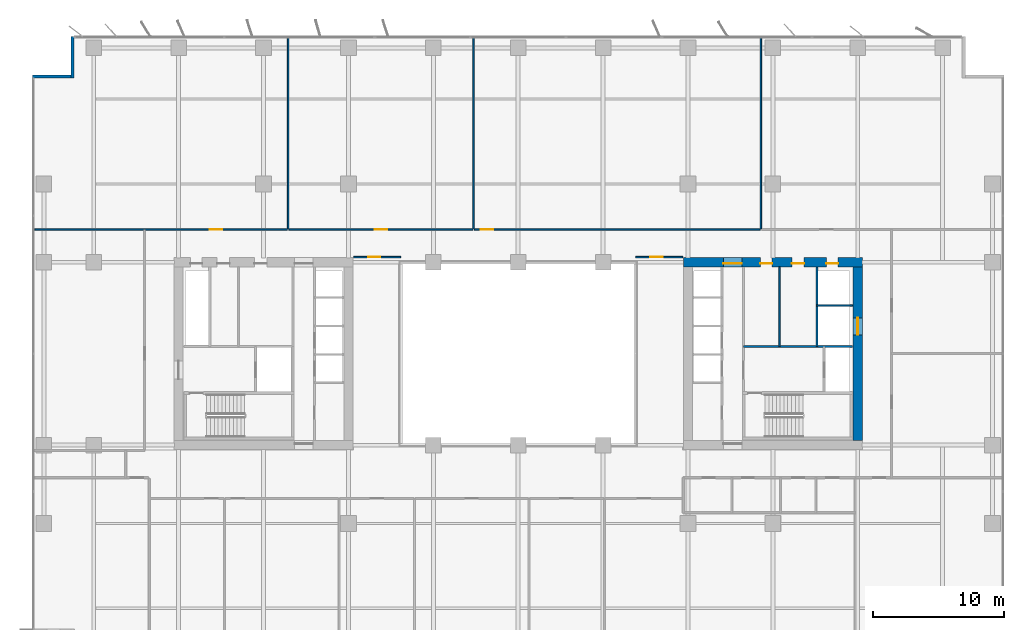
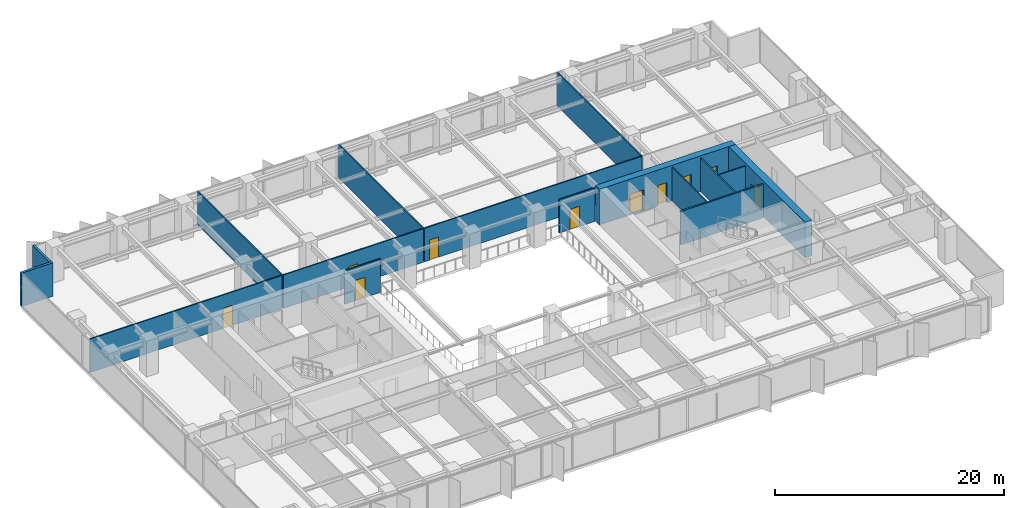
# One storey, part 15 of 20: 16 walls, 10 doors, 10 openings.
"""IFC4 building model written with IfcOpenShell, lengths in metres."""

from ifc_helpers import new_model, si_unit, direction, frame, frame_2d, origin, place, context, subcontext, project, spatial, rectangle, extrude, material, layer, layer_set, type_object, element, fill, save


model = new_model("IFC4")

# Units and contexts
model_context = context("Model", 3, precision=1e-05, world=origin(), true_north=direction((0.0, 1.0)))
body_context = subcontext(model_context, "Body", "Model", "MODEL_VIEW")
ifc_project = project(units=[si_unit("LENGTHUNIT", "METRE"), si_unit("AREAUNIT", "SQUARE_METRE"), si_unit("VOLUMEUNIT", "CUBIC_METRE"), si_unit("PLANEANGLEUNIT", "RADIAN"), si_unit("MASSUNIT", "GRAM", prefix="KILO")], contexts=[model_context])

# Site, building, storey
site_placement = place(None, origin())
site = spatial("IfcSite", under=ifc_project, at=site_placement, CompositionType="ELEMENT")
building_placement = place(site_placement, origin())
building = spatial("IfcBuilding", under=site, at=building_placement, Name="Putna Gate Headquarters", CompositionType="ELEMENT")
storey_placement = place(building_placement, frame((0.0, 0.0, 97.39990234375)))
storey = spatial("IfcBuildingStorey", under=building, at=storey_placement, Name="L23", CompositionType="ELEMENT", Elevation=97.39990234375)

# Wall, openings, doors
ifc_material_1 = material(Name="Concrete C60/75", Category="concrete")
ifc_layer_1 = layer(ifc_material_1, 0.699951171875)
ifc_layer_set_1 = layer_set([ifc_layer_1], Name="Concrete C60/75")
wall_type_1 = type_object("IfcWallType", Name="WALL-CORE-700", PredefinedType="SHEAR", material=ifc_layer_set_1)
wall_1_placement = place(storey_placement, frame((51.64990234375, 33.0, 0.0), z_axis=(0.0, 0.0, 1.0), x_axis=(1.0, 0.0, 0.0)))
wall_1 = element("IfcWall", 1, at=wall_1_placement, inside=storey, type_object=wall_type_1, Name="L23 EC Split Core Shear Wall N", PredefinedType="SHEAR", context=body_context, shape_type="SweptSolid", body=[
    extrude(rectangle(XDim=13.7001953125, YDim=0.699951171875, at=frame_2d((6.85009765625, 0.0))), origin(), (0.0, 0.0, 1.0), 3.800048828125),
])
opening_1_placement = place(wall_1_placement, frame((3.070068359375, 0.0, 0.0)))
opening_1 = element("IfcOpeningElement", 2, at=opening_1_placement, cuts=wall_1, Name="Opening FDD-140", PredefinedType="OPENING", context=body_context, shape_type="SweptSolid", body=[
    extrude(rectangle(XDim=1.39990234375, YDim=2.199951171875, at=frame_2d((0.699951171875, 1.10009765625))), frame((0.0, 0.35986328125, 0.0), z_axis=(0.0, -1.0, 0.0), x_axis=(1.0, 0.0, 0.0)), (0.0, 0.0, 1.0), 0.719970703125),
])
opening_2_placement = place(wall_1_placement, frame((10.949951171875, 0.0, 0.0)))
opening_2 = element("IfcOpeningElement", 3, at=opening_2_placement, cuts=wall_1, Name="Opening RD-90", PredefinedType="OPENING", context=body_context, shape_type="SweptSolid", body=[
    extrude(rectangle(XDim=0.89990234375, YDim=2.14990234375, at=frame_2d((0.449951171875, 1.074951171875))), frame((0.0, 0.35986328125, 0.0), z_axis=(0.0, -1.0, 0.0), x_axis=(1.0, 0.0, 0.0)), (0.0, 0.0, 1.0), 0.719970703125),
])
opening_3_placement = place(wall_1_placement, frame((5.89990234375, 0.0, 0.0)))
opening_3 = element("IfcOpeningElement", 4, at=opening_3_placement, cuts=wall_1, Name="Opening IDS-90", PredefinedType="OPENING", context=body_context, shape_type="SweptSolid", body=[
    extrude(rectangle(XDim=0.89990234375, YDim=2.14990234375, at=frame_2d((0.449951171875, 1.074951171875))), frame((0.0, 0.35986328125, 0.0), z_axis=(0.0, -1.0, 0.0), x_axis=(1.0, 0.0, 0.0)), (0.0, 0.0, 1.0), 0.719970703125),
])
opening_4_placement = place(wall_1_placement, frame((8.300048828125, 0.0, 0.0)))
opening_4 = element("IfcOpeningElement", 5, at=opening_4_placement, cuts=wall_1, Name="Opening IDS-95", PredefinedType="OPENING", context=body_context, shape_type="SweptSolid", body=[
    extrude(rectangle(XDim=0.949951171875, YDim=2.14990234375, at=frame_2d((0.47509765625, 1.074951171875))), frame((0.0, 0.35986328125, 0.0), z_axis=(0.0, -1.0, 0.0), x_axis=(1.0, 0.0, 0.0)), (0.0, 0.0, 1.0), 0.719970703125),
])
ifc_material_2 = material(Name="Double steel fire door", Category="steel")
door_type_1 = type_object("IfcDoorType", Name="DOOR-FIRE-DBL-1400", OperationType="DOUBLE_DOOR_SINGLE_SWING", PredefinedType="DOOR", material=ifc_material_2)
door_1_placement = place(opening_1_placement, origin())
door_1 = element("IfcDoor", 6, at=door_1_placement, inside=storey, type_object=door_type_1, Name="L23 East Lift Lobby North Door", OperationType="DOUBLE_DOOR_SINGLE_SWING", OverallHeight=2.199951171875, OverallWidth=1.39990234375, PredefinedType="DOOR", context=body_context, shape_type="SweptSolid", body=[
    extrude(rectangle(XDim=1.39990234375, YDim=2.199951171875, at=frame_2d((0.699951171875, 1.10009765625))), frame((0.0, -0.0751953125, 0.0), z_axis=(0.0, -1.0, 0.0), x_axis=(1.0, 0.0, 0.0)), (0.0, 0.0, 1.0), 0.050048828125),
])
fill(opening_1, door_1)
ifc_material_3 = material(Name="Fire-rated utility door")
door_type_2 = type_object("IfcDoorType", Name="DOOR-INT-900", OperationType="NOTDEFINED", PredefinedType="DOOR", material=ifc_material_3)
door_2_placement = place(opening_3_placement, origin())
door_2 = element("IfcDoor", 7, at=door_2_placement, inside=storey, type_object=door_type_2, Name="L23 Telecoms Plant Door", OperationType="SINGLE_SWING_LEFT", OverallHeight=2.14990234375, OverallWidth=0.89990234375, PredefinedType="DOOR", context=body_context, shape_type="SweptSolid", body=[
    extrude(rectangle(XDim=0.89990234375, YDim=2.14990234375, at=frame_2d((0.449951171875, 1.074951171875))), frame((0.0, -0.0751953125, 0.0), z_axis=(0.0, -1.0, 0.0), x_axis=(1.0, 0.0, 0.0)), (0.0, 0.0, 1.0), 0.050048828125),
])
fill(opening_3, door_2)
ifc_material_4 = material(Name="Fire-rated service timber door", Category="wood")
door_type_3 = type_object("IfcDoorType", Name="DOOR-INT-950", OperationType="NOTDEFINED", PredefinedType="DOOR", material=ifc_material_4)
door_3_placement = place(opening_4_placement, origin())
door_3 = element("IfcDoor", 8, at=door_3_placement, inside=storey, type_object=door_type_3, Name="L23 Supplies Store Door", OperationType="SINGLE_SWING_RIGHT", OverallHeight=2.14990234375, OverallWidth=0.949951171875, PredefinedType="DOOR", context=body_context, shape_type="SweptSolid", body=[
    extrude(rectangle(XDim=0.949951171875, YDim=2.14990234375, at=frame_2d((0.47509765625, 1.074951171875))), frame((0.0, -0.0751953125, 0.0), z_axis=(0.0, -1.0, 0.0), x_axis=(1.0, 0.0, 0.0)), (0.0, 0.0, 1.0), 0.050048828125),
])
fill(opening_4, door_3)
ifc_material_5 = material(Name="Steel riser access fire door", Category="steel")
door_type_4 = type_object("IfcDoorType", Name="DOOR-RISER-900", OperationType="NOTDEFINED", PredefinedType="DOOR", material=ifc_material_5)
door_4_placement = place(opening_2_placement, origin())
door_4 = element("IfcDoor", 9, at=door_4_placement, inside=storey, type_object=door_type_4, Name="L23 East Riser Access Door", OperationType="SINGLE_SWING_LEFT", OverallHeight=2.14990234375, OverallWidth=0.89990234375, PredefinedType="DOOR", context=body_context, shape_type="SweptSolid", body=[
    extrude(rectangle(XDim=0.89990234375, YDim=2.14990234375, at=frame_2d((0.449951171875, 1.074951171875))), frame((0.0, -0.0751953125, 0.0), z_axis=(0.0, -1.0, 0.0), x_axis=(1.0, 0.0, 0.0)), (0.0, 0.0, 1.0), 0.050048828125),
])
fill(opening_2, door_4)

# Wall, opening, door
wall_2_placement = place(storey_placement, frame((65.0, 19.35009765625, 0.0), z_axis=(0.0, 0.0, 1.0), x_axis=(0.0, 1.0, 0.0)))
wall_2 = element("IfcWall", 10, at=wall_2_placement, inside=storey, type_object=wall_type_1, Name="L23 EC Split Core Shear Wall E", PredefinedType="SHEAR", context=body_context, shape_type="SweptSolid", body=[
    extrude(rectangle(XDim=13.2998046875, YDim=0.699951171875, at=frame_2d((6.64990234375, 0.0))), origin(), (0.0, 0.0, 1.0), 3.800048828125),
])
opening_5_placement = place(wall_2_placement, frame((8.10009765625, 0.0, 0.0)))
opening_5 = element("IfcOpeningElement", 11, at=opening_5_placement, cuts=wall_2, Name="Opening LD-2", PredefinedType="OPENING", context=body_context, shape_type="SweptSolid", body=[
    extrude(rectangle(XDim=1.300048828125, YDim=2.199951171875, at=frame_2d((0.64990234375, 1.10009765625))), frame((0.0, 0.35986328125, 0.0), z_axis=(0.0, -1.0, 0.0), x_axis=(1.0, 0.0, 0.0)), (0.0, 0.0, 1.0), 0.719970703125),
])
ifc_material_6 = material(Name="Heavy-duty goods lift sliding landing door")
door_type_5 = type_object("IfcDoorType", Name="DOOR-LIFT-1300", OperationType="DOUBLE_DOOR_SLIDING", PredefinedType="DOOR", material=ifc_material_6)
door_5_placement = place(opening_5_placement, origin())
door_5 = element("IfcDoor", 12, at=door_5_placement, inside=storey, type_object=door_type_5, Name="L23 Goods Lift Landing Door LD-15", OperationType="DOUBLE_DOOR_SLIDING", OverallHeight=2.199951171875, OverallWidth=1.300048828125, PredefinedType="DOOR", context=body_context, shape_type="SweptSolid", body=[
    extrude(rectangle(XDim=1.300048828125, YDim=2.199951171875, at=frame_2d((0.64990234375, 1.10009765625))), frame((0.0, 0.02490234375, 0.0), z_axis=(0.0, -1.0, 0.0), x_axis=(1.0, 0.0, 0.0)), (0.0, 0.0, 1.0), 0.050048828125),
])
fill(opening_5, door_5)

# Walls
ifc_material_7 = material(Name="Precast concrete C40/50", Category="concrete")
ifc_layer_2 = layer(ifc_material_7, 0.239990234375)
ifc_layer_set_2 = layer_set([ifc_layer_2], Name="Precast concrete C40/50")
wall_type_2 = type_object("IfcWallType", Name="WALL-EXT-TERR-240", PredefinedType="STANDARD", material=ifc_layer_set_2)
for number, where, z_axis, x_axis, name in (
    (13, (4.8798828125, 47.10009765625, 0.0), (0.0, 0.0, 1.0), (0.0, 1.0, 0.0), "L23 Corner Notch Return Wall NW-V"),
    (14, (1.800048828125, 47.219970703125, 0.0), (0.0, 0.0, 1.0), (1.0, 0.0, 0.0), "L23 Corner Notch Return Wall NW-H"),
):
    element("IfcWall", number, at=place(storey_placement, frame(where, z_axis=z_axis, x_axis=x_axis)), inside=storey, type_object=wall_type_2, Name=name, PredefinedType="STANDARD", context=body_context, shape_type="SweptSolid", body=[
        extrude(rectangle(XDim=3.199951171875, YDim=0.239990234375, at=frame_2d((1.60009765625, 0.0))), origin(), (0.0, 0.0, 1.0), 3.565185546875),
    ])

# Wall, opening, door
ifc_material_8 = material(Name="Acoustic gypsum board on metal stud")
ifc_layer_3 = layer(ifc_material_8, 0.1201171875)
ifc_layer_set_3 = layer_set([ifc_layer_3], Name="Acoustic gypsum board on metal stud")
wall_type_3 = type_object("IfcWallType", Name="WALL-PART-120", PredefinedType="PARTITIONING", material=ifc_layer_set_3)
wall_3_placement = place(storey_placement, frame((26.39990234375, 33.39990234375, 0.0), z_axis=(0.0, 0.0, 1.0), x_axis=(1.0, 0.0, 0.0)))
wall_3 = element("IfcWall", 15, at=wall_3_placement, inside=storey, type_object=wall_type_3, Name="L23 Interior Wall PART-L23-ATR-W-N", PredefinedType="PARTITIONING", context=body_context, shape_type="SweptSolid", body=[
    extrude(rectangle(XDim=3.60009765625, YDim=0.1201171875, at=frame_2d((1.800048828125, 0.0))), origin(), (0.0, 0.0, 1.0), 3.565185546875),
])
opening_6_placement = place(wall_3_placement, frame((1.10009765625, 0.0, 0.0)))
opening_6 = element("IfcOpeningElement", 16, at=opening_6_placement, cuts=wall_3, Name="Opening ID-95", PredefinedType="OPENING", context=body_context, shape_type="SweptSolid", body=[
    extrude(rectangle(XDim=0.949951171875, YDim=2.14990234375, at=frame_2d((0.47509765625, 1.074951171875))), frame((0.0, 0.070068359375, 0.0), z_axis=(0.0, -1.0, 0.0), x_axis=(1.0, 0.0, 0.0)), (0.0, 0.0, 1.0), 0.14013671875),
])
ifc_material_9 = material(Name="Veneered acoustic timber door", Category="wood")
door_type_6 = type_object("IfcDoorType", Name="DOOR-OFF-950", OperationType="NOTDEFINED", PredefinedType="DOOR", material=ifc_material_9)
door_6_placement = place(opening_6_placement, origin())
door_6 = element("IfcDoor", 17, at=door_6_placement, inside=storey, type_object=door_type_6, Name="L23 West Atrium Lounge Door", OperationType="SINGLE_SWING_LEFT", OverallHeight=2.14990234375, OverallWidth=0.949951171875, PredefinedType="DOOR", context=body_context, shape_type="SweptSolid", body=[
    extrude(rectangle(XDim=0.949951171875, YDim=2.14990234375, at=frame_2d((0.47509765625, 1.074951171875))), frame((0.0, 0.02490234375, 0.0), z_axis=(0.0, -1.0, 0.0), x_axis=(1.0, 0.0, 0.0)), (0.0, 0.0, 1.0), 0.050048828125),
])
fill(opening_6, door_6)

wall_4_placement = place(storey_placement, frame((48.0, 33.39990234375, 0.0), z_axis=(0.0, 0.0, 1.0), x_axis=(1.0, 0.0, 0.0)))
wall_4 = element("IfcWall", 18, at=wall_4_placement, inside=storey, type_object=wall_type_3, Name="L23 Interior Wall PART-L23-ATR-E-N", PredefinedType="PARTITIONING", context=body_context, shape_type="SweptSolid", body=[
    extrude(rectangle(XDim=3.60009765625, YDim=0.1201171875, at=frame_2d((1.800048828125, 0.0))), origin(), (0.0, 0.0, 1.0), 3.565185546875),
])
opening_7_placement = place(wall_4_placement, frame((1.10009765625, 0.0, 0.0)))
opening_7 = element("IfcOpeningElement", 19, at=opening_7_placement, cuts=wall_4, Name="Opening ID-95", PredefinedType="OPENING", context=body_context, shape_type="SweptSolid", body=[
    extrude(rectangle(XDim=0.949951171875, YDim=2.14990234375, at=frame_2d((0.47509765625, 1.074951171875))), frame((0.0, 0.070068359375, 0.0), z_axis=(0.0, -1.0, 0.0), x_axis=(1.0, 0.0, 0.0)), (0.0, 0.0, 1.0), 0.14013671875),
])
door_7_placement = place(opening_7_placement, origin())
door_7 = element("IfcDoor", 20, at=door_7_placement, inside=storey, type_object=door_type_6, Name="L23 East Atrium Lounge Door", OperationType="SINGLE_SWING_RIGHT", OverallHeight=2.14990234375, OverallWidth=0.949951171875, PredefinedType="DOOR", context=body_context, shape_type="SweptSolid", body=[
    extrude(rectangle(XDim=0.949951171875, YDim=2.14990234375, at=frame_2d((0.47509765625, 1.074951171875))), frame((0.0, 0.02490234375, 0.0), z_axis=(0.0, -1.0, 0.0), x_axis=(1.0, 0.0, 0.0)), (0.0, 0.0, 1.0), 0.050048828125),
])
fill(opening_7, door_7)

# Walls
for number, where, z_axis, x_axis, name in (
    (21, (21.37841796875, 35.56005859375, 0.0), (0.0, 0.0, 1.0), (0.0, 1.0, 0.0), "L23 Interior Wall PART-L23-NB-DIV-01"),
    (22, (35.5869140625, 35.56005859375, 0.0), (0.0, 0.0, 1.0), (0.0, 1.0, 0.0), "L23 Interior Wall PART-L23-NB-DIV-02"),
    (23, (57.57666015625, 35.56005859375, 0.0), (0.0, 0.0, 1.0), (0.0, 1.0, 0.0), "L23 Interior Wall PART-L23-NB-DIV-03"),
):
    element("IfcWall", number, at=place(storey_placement, frame(where, z_axis=z_axis, x_axis=x_axis)), inside=storey, type_object=wall_type_3, Name=name, PredefinedType="PARTITIONING", context=body_context, shape_type="SweptSolid", body=[
        extrude(rectangle(XDim=14.719970703125, YDim=0.1201171875, at=frame_2d((7.35986328125, 0.0))), origin(), (0.0, 0.0, 1.0), 3.565185546875),
    ])
ifc_material_10 = material(Name="Fire-rated shaftwall gypsum board on metal stud")
ifc_layer_4 = layer(ifc_material_10, 0.1201171875)
ifc_layer_set_4 = layer_set([ifc_layer_4], Name="Fire-rated shaftwall gypsum board on metal stud")
wall_type_4 = type_object("IfcWallType", Name="WALL-PART-120-EI120", PredefinedType="PARTITIONING", material=ifc_layer_set_4)
wall_5_placement = place(storey_placement, frame((61.8701171875, 29.699951171875, 0.0), z_axis=(0.0, 0.0, 1.0), x_axis=(1.0, 0.0, 0.0)))
element("IfcWall", 24, at=wall_5_placement, inside=storey, type_object=wall_type_4, Name="L23 Interior Wall CWINT-L23-EC-LF15-N", PredefinedType="PARTITIONING", context=body_context, shape_type="SweptSolid", body=[
    extrude(rectangle(XDim=2.72998046875, YDim=0.1201171875, at=frame_2d((1.364990234375, 0.0))), origin(), (0.0, 0.0, 1.0), 3.565185546875),
])
ifc_material_11 = material(Name="Fire-rated gypsum board on metal stud")
ifc_layer_5 = layer(ifc_material_11, 0.1201171875)
ifc_layer_set_5 = layer_set([ifc_layer_5], Name="Fire-rated gypsum board on metal stud")
wall_type_5 = type_object("IfcWallType", Name="WALL-PART-120-RATED", PredefinedType="PARTITIONING", material=ifc_layer_set_5)
wall_6_placement = place(storey_placement, frame((59.02001953125, 26.56005859375, 0.0), z_axis=(0.0, 0.0, 1.0), x_axis=(0.0, 1.0, 0.0)))
element("IfcWall", 25, at=wall_6_placement, inside=storey, type_object=wall_type_5, Name="L23 Interior Wall CWINT-L23-EC-K1-DIV", PredefinedType="PARTITIONING", context=body_context, shape_type="SweptSolid", body=[
    extrude(rectangle(XDim=6.08984375, YDim=0.1201171875, at=frame_2d((3.044921875, 0.0))), origin(), (0.0, 0.0, 1.0), 3.565185546875),
])

# Wall, opening, door
wall_7_placement = place(storey_placement, frame((1.97998046875, 35.5, 0.0), z_axis=(0.0, 0.0, 1.0), x_axis=(1.0, 0.0, 0.0)))
wall_7 = element("IfcWall", 26, at=wall_7_placement, inside=storey, type_object=wall_type_5, Name="L23 Interior Wall PART-L23-NB-CW-01", PredefinedType="PARTITIONING", context=body_context, shape_type="SweptSolid", body=[
    extrude(rectangle(XDim=19.338623046875, YDim=0.1201171875, at=frame_2d((9.66943359375, 0.0))), origin(), (0.0, 0.0, 1.0), 3.565185546875),
])
opening_8_placement = place(wall_7_placement, frame((13.404296875, 0.0, 0.0)))
opening_8 = element("IfcOpeningElement", 27, at=opening_8_placement, cuts=wall_7, Name="Opening FD-95", PredefinedType="OPENING", context=body_context, shape_type="SweptSolid", body=[
    extrude(rectangle(XDim=0.949951171875, YDim=2.14990234375, at=frame_2d((0.47509765625, 1.074951171875))), frame((0.0, 0.070068359375, 0.0), z_axis=(0.0, -1.0, 0.0), x_axis=(1.0, 0.0, 0.0)), (0.0, 0.0, 1.0), 0.14013671875),
])
ifc_material_12 = material(Name="Acoustic timber fire door", Category="wood")
door_type_7 = type_object("IfcDoorType", Name="DOOR-FIRE-950", OperationType="NOTDEFINED", PredefinedType="DOOR", material=ifc_material_12)
door_8_placement = place(opening_8_placement, origin())
door_8 = element("IfcDoor", 28, at=door_8_placement, inside=storey, type_object=door_type_7, Name="L23 Collaborative Breakout Lounge 3 Door", OperationType="SINGLE_SWING_LEFT", OverallHeight=2.14990234375, OverallWidth=0.949951171875, PredefinedType="DOOR", context=body_context, shape_type="SweptSolid", body=[
    extrude(rectangle(XDim=0.949951171875, YDim=2.14990234375, at=frame_2d((0.47509765625, 1.074951171875))), frame((0.0, 0.02490234375, 0.0), z_axis=(0.0, -1.0, 0.0), x_axis=(1.0, 0.0, 0.0)), (0.0, 0.0, 1.0), 0.050048828125),
])
fill(opening_8, door_8)

wall_8_placement = place(storey_placement, frame((21.4384765625, 35.5, 0.0), z_axis=(0.0, 0.0, 1.0), x_axis=(1.0, 0.0, 0.0)))
wall_8 = element("IfcWall", 29, at=wall_8_placement, inside=storey, type_object=wall_type_5, Name="L23 Interior Wall PART-L23-NB-CW-02", PredefinedType="PARTITIONING", context=body_context, shape_type="SweptSolid", body=[
    extrude(rectangle(XDim=14.08837890625, YDim=0.1201171875, at=frame_2d((7.044189453125, 0.0))), origin(), (0.0, 0.0, 1.0), 3.565185546875),
])
opening_9_placement = place(wall_8_placement, frame((6.569091796875, 0.0, 0.0)))
opening_9 = element("IfcOpeningElement", 30, at=opening_9_placement, cuts=wall_8, Name="Opening FD-95", PredefinedType="OPENING", context=body_context, shape_type="SweptSolid", body=[
    extrude(rectangle(XDim=0.949951171875, YDim=2.14990234375, at=frame_2d((0.47509765625, 1.074951171875))), frame((0.0, 0.070068359375, 0.0), z_axis=(0.0, -1.0, 0.0), x_axis=(1.0, 0.0, 0.0)), (0.0, 0.0, 1.0), 0.14013671875),
])
door_9_placement = place(opening_9_placement, origin())
door_9 = element("IfcDoor", 31, at=door_9_placement, inside=storey, type_object=door_type_7, Name="L23 Cellular Office 1 Door", OperationType="SINGLE_SWING_RIGHT", OverallHeight=2.14990234375, OverallWidth=0.949951171875, PredefinedType="DOOR", context=body_context, shape_type="SweptSolid", body=[
    extrude(rectangle(XDim=0.949951171875, YDim=2.14990234375, at=frame_2d((0.47509765625, 1.074951171875))), frame((0.0, 0.02490234375, 0.0), z_axis=(0.0, -1.0, 0.0), x_axis=(1.0, 0.0, 0.0)), (0.0, 0.0, 1.0), 0.050048828125),
])
fill(opening_9, door_9)

wall_9_placement = place(storey_placement, frame((35.646728515625, 35.5, 0.0), z_axis=(0.0, 0.0, 1.0), x_axis=(1.0, 0.0, 0.0)))
wall_9 = element("IfcWall", 32, at=wall_9_placement, inside=storey, type_object=wall_type_5, Name="L23 Interior Wall PART-L23-NB-CW-03", PredefinedType="PARTITIONING", context=body_context, shape_type="SweptSolid", body=[
    extrude(rectangle(XDim=21.869873046875, YDim=0.1201171875, at=frame_2d((10.93505859375, 0.0))), origin(), (0.0, 0.0, 1.0), 3.565185546875),
])
opening_10_placement = place(wall_9_placement, frame((0.47998046875, 0.0, 0.0)))
opening_10 = element("IfcOpeningElement", 33, at=opening_10_placement, cuts=wall_9, Name="Opening FD-95", PredefinedType="OPENING", context=body_context, shape_type="SweptSolid", body=[
    extrude(rectangle(XDim=0.949951171875, YDim=2.14990234375, at=frame_2d((0.47509765625, 1.074951171875))), frame((0.0, 0.070068359375, 0.0), z_axis=(0.0, -1.0, 0.0), x_axis=(1.0, 0.0, 0.0)), (0.0, 0.0, 1.0), 0.14013671875),
])
door_10_placement = place(opening_10_placement, origin())
door_10 = element("IfcDoor", 34, at=door_10_placement, inside=storey, type_object=door_type_7, Name="L23 Cellular Office 2 Door", OperationType="SINGLE_SWING_LEFT", OverallHeight=2.14990234375, OverallWidth=0.949951171875, PredefinedType="DOOR", context=body_context, shape_type="SweptSolid", body=[
    extrude(rectangle(XDim=0.949951171875, YDim=2.14990234375, at=frame_2d((0.47509765625, 1.074951171875))), frame((0.0, 0.02490234375, 0.0), z_axis=(0.0, -1.0, 0.0), x_axis=(1.0, 0.0, 0.0)), (0.0, 0.0, 1.0), 0.050048828125),
])
fill(opening_10, door_10)

# Walls
ifc_material_13 = material(Name="Concrete C40/50", Category="concrete")
ifc_layer_6 = layer(ifc_material_13, 0.159912109375)
ifc_layer_set_6 = layer_set([ifc_layer_6], Name="Concrete C40/50")
wall_type_6 = type_object("IfcWallType", Name="WALL-SHAFT-160", PredefinedType="STANDARD", material=ifc_layer_set_6)
wall_10_placement = place(storey_placement, frame((56.260009765625, 26.56005859375, 0.0), z_axis=(0.0, 0.0, 1.0), x_axis=(1.0, 0.0, 0.0)))
element("IfcWall", 35, at=wall_10_placement, inside=storey, type_object=wall_type_6, Name="L23 Interior Wall CWINT-L23-EC-FFL-N", PredefinedType="STANDARD", context=body_context, shape_type="SweptSolid", body=[
    extrude(rectangle(XDim=8.340087890625, YDim=0.159912109375, at=frame_2d((4.169921875, 0.0))), origin(), (0.0, 0.0, 1.0), 3.565185546875),
])
wall_11_placement = place(storey_placement, frame((61.8701171875, 26.56005859375, 0.0), z_axis=(0.0, 0.0, 1.0), x_axis=(0.0, 1.0, 0.0)))
element("IfcWall", 36, at=wall_11_placement, inside=storey, type_object=wall_type_6, Name="L23 Interior Wall CWINT-L23-EC-LF15-W", PredefinedType="STANDARD", context=body_context, shape_type="SweptSolid", body=[
    extrude(rectangle(XDim=6.08984375, YDim=0.159912109375, at=frame_2d((3.044921875, 0.0))), origin(), (0.0, 0.0, 1.0), 3.565185546875),
])

save(model, "model.ifc")
